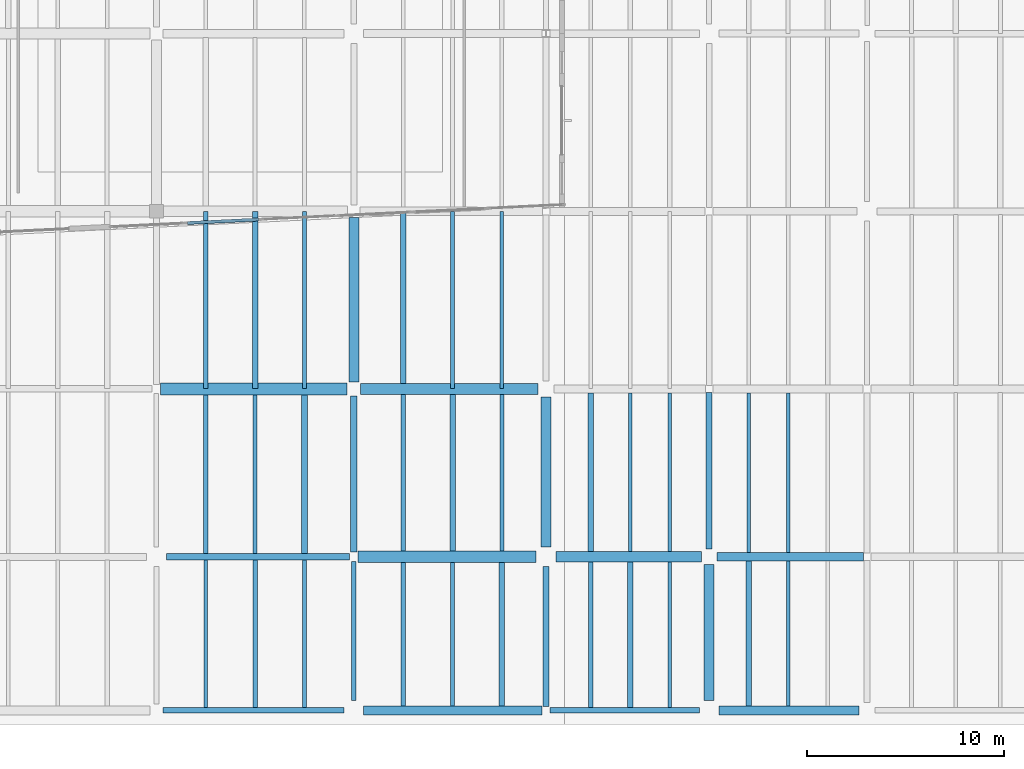
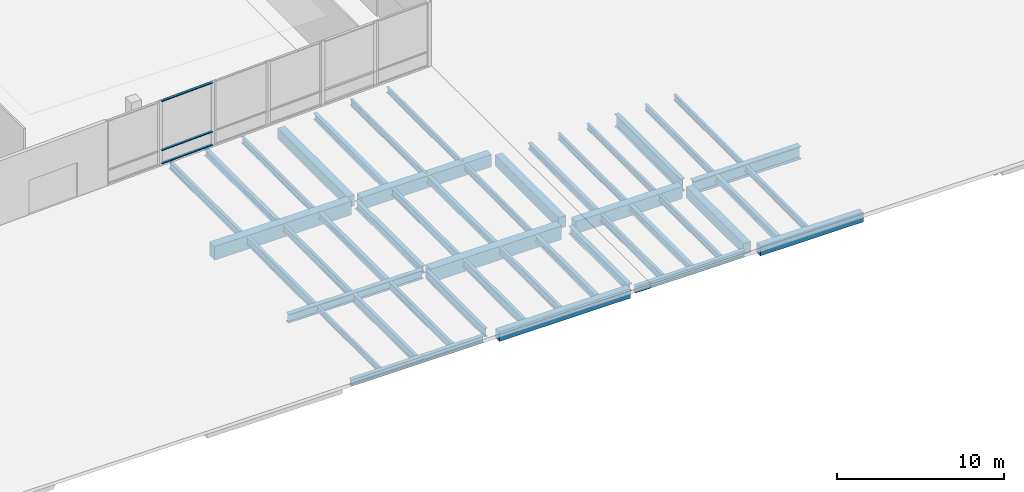
# One storey, part 29 of 88: 45 beams, 3 members, 1 element without a shape of its own.
"""IFC4 building model written with IfcOpenShell, lengths in metres."""

from ifc_helpers import new_model, si_unit, direction, frame, origin, origin_2d, place, context, subcontext, project, spatial, rectangle, i_section, extrude, material, material_profile, profile_set, type_object, element, aggregate, save


model = new_model("IFC4")

# Units and contexts
model_context = context("Model", 3, precision=1e-05, world=origin(), true_north=direction((0.0, 1.0)))
body_context = subcontext(model_context, "Body", "Model", "MODEL_VIEW")
ifc_project = project(units=[si_unit("LENGTHUNIT", "METRE"), si_unit("AREAUNIT", "SQUARE_METRE"), si_unit("VOLUMEUNIT", "CUBIC_METRE"), si_unit("PLANEANGLEUNIT", "RADIAN"), si_unit("MASSUNIT", "GRAM", prefix="KILO")], contexts=[model_context])

# Site, building, storey
site_placement = place(None, origin())
site = spatial("IfcSite", under=ifc_project, at=site_placement, CompositionType="ELEMENT")
building_placement = place(site_placement, origin())
building = spatial("IfcBuilding", under=site, at=building_placement, Name="Trimount Lyric Opera House", CompositionType="ELEMENT")
storey_placement = place(building_placement, origin())
storey = spatial("IfcBuildingStorey", under=building, at=storey_placement, Name="L00", CompositionType="ELEMENT", Elevation=0.0)

# Beams
ifc_material_1 = material(Name="Steel ASTM A992 Grade 50", Category="steel")
ifc_material_profile_1 = material_profile(ifc_material_1, i_section(OverallWidth=0.4189453125, OverallDepth=0.927001953125, WebThickness=0.019287109375, FlangeThickness=0.031982421875, FilletRadius=0.02392578125, at=origin_2d()), Name="W36X231")
ifc_profile_set_1 = profile_set([ifc_material_profile_1], Name="Steel ASTM A992 Grade 50")
beam_type_1 = type_object("IfcBeamType", Name="B-02", PredefinedType="BEAM", material=ifc_profile_set_1)
beam_1_placement = place(storey_placement, frame((122.39990234375, 8.5, -0.763427734375), z_axis=(1.0, 0.0, 0.0), x_axis=(0.0, 1.0, 0.0)))
element("IfcBeam", 1, at=beam_1_placement, inside=storey, type_object=beam_type_1, Name="L00 girder X-0033", PredefinedType="BEAM", context=body_context, shape_type="SweptSolid", body=[
    extrude(i_section(OverallWidth=0.4189453125, OverallDepth=0.927001953125, WebThickness=0.019287109375, FlangeThickness=0.031982421875, FilletRadius=0.02392578125, at=origin_2d()), origin(), (0.0, 0.0, 1.0), 7.41357421875),
])
ifc_material_2 = material(Name="Steel ASTM A992 Grade 50", Category="steel")
ifc_material_profile_2 = material_profile(ifc_material_2, i_section(OverallWidth=0.304931640625, OverallDepth=0.9189453125, WebThickness=0.017333984375, FlangeThickness=0.02783203125, FilletRadius=0.02001953125, at=origin_2d()), Name="W36X170")
ifc_profile_set_2 = profile_set([ifc_material_profile_2], Name="Steel ASTM A992 Grade 50")
beam_type_2 = type_object("IfcBeamType", Name="B-03", PredefinedType="BEAM", material=ifc_profile_set_2)
beam_2_placement = place(storey_placement, frame((122.0, 8.89990234375, -0.759521484375), z_axis=(0.0, 1.0, 0.0), x_axis=(-1.0, 0.0, 0.0)))
element("IfcBeam", 2, at=beam_2_placement, inside=storey, type_object=beam_type_2, Name="L00 girder Y-0382", PredefinedType="BEAM", context=body_context, shape_type="SweptSolid", body=[
    extrude(i_section(OverallWidth=0.304931640625, OverallDepth=0.9189453125, WebThickness=0.017333984375, FlangeThickness=0.02783203125, FilletRadius=0.02001953125, at=origin_2d()), origin(), (0.0, 0.0, 1.0), 7.916015625),
])
ifc_material_3 = material(Name="Steel ASTM A992 Grade 50", Category="steel")
ifc_material_profile_3 = material_profile(ifc_material_3, i_section(OverallWidth=0.327880859375, OverallDepth=0.626953125, WebThickness=0.0166015625, FlangeThickness=0.027587890625, FilletRadius=0.01611328125, at=origin_2d()), Name="W24X146")
ifc_profile_set_3 = profile_set([ifc_material_profile_3], Name="Steel ASTM A992 Grade 50")
beam_type_3 = type_object("IfcBeamType", Name="B-10", PredefinedType="BEAM", material=ifc_profile_set_3)
beam_3_placement = place(storey_placement, frame((94.5, 8.5, -0.553466796875), z_axis=(1.0, 0.0, 0.0), x_axis=(0.0, 1.0, 0.0)))
element("IfcBeam", 3, at=beam_3_placement, inside=storey, type_object=beam_type_3, Name="L00 girder X-0030", PredefinedType="BEAM", context=body_context, shape_type="SweptSolid", body=[
    extrude(i_section(OverallWidth=0.327880859375, OverallDepth=0.626953125, WebThickness=0.0166015625, FlangeThickness=0.027587890625, FilletRadius=0.01611328125, at=origin_2d()), origin(), (0.0, 0.0, 1.0), 9.2890625),
])
ifc_material_4 = material(Name="Steel ASTM A992 Grade 50", Category="steel")
ifc_material_profile_4 = material_profile(ifc_material_4, i_section(OverallWidth=0.22998046875, OverallDepth=0.616943359375, WebThickness=0.01318359375, FlangeThickness=0.022216796875, FilletRadius=0.013916015625, at=origin_2d()), Name="W24X94")
ifc_profile_set_4 = profile_set([ifc_material_profile_4], Name="Steel ASTM A992 Grade 50")
beam_type_4 = type_object("IfcBeamType", Name="B-11", PredefinedType="BEAM", material=ifc_profile_set_4)
beam_4_placement = place(storey_placement, frame((104.0, 1.219970703125, -0.548583984375), z_axis=(0.0, 1.0, 0.0), x_axis=(-1.0, 0.0, 0.0)))
element("IfcBeam", 4, at=beam_4_placement, inside=storey, type_object=beam_type_4, Name="L00 girder Y-0357", PredefinedType="BEAM", context=body_context, shape_type="SweptSolid", body=[
    extrude(i_section(OverallWidth=0.22998046875, OverallDepth=0.616943359375, WebThickness=0.01318359375, FlangeThickness=0.022216796875, FilletRadius=0.013916015625, at=origin_2d()), origin(), (0.0, 0.0, 1.0), 7.047607421875),
])
ifc_material_5 = material(Name="Steel ASTM A992 Grade 50", Category="steel")
ifc_material_profile_5 = material_profile(ifc_material_5, i_section(OverallWidth=0.31201171875, OverallDepth=0.5458984375, WebThickness=0.013916015625, FlangeThickness=0.022216796875, FilletRadius=0.014892578125, at=origin_2d()), Name="W21X111")
ifc_profile_set_5 = profile_set([ifc_material_profile_5], Name="Steel ASTM A992 Grade 50")
beam_type_5 = type_object("IfcBeamType", Name="B-12", PredefinedType="BEAM", material=ifc_profile_set_5)
beam_5_placement = place(storey_placement, frame((104.0, 8.732421875, -0.512939453125), z_axis=(0.0, 1.0, 0.0), x_axis=(-1.0, 0.0, 0.0)))
element("IfcBeam", 5, at=beam_5_placement, inside=storey, type_object=beam_type_5, Name="L00 girder Y-0358", PredefinedType="BEAM", context=body_context, shape_type="SweptSolid", body=[
    extrude(i_section(OverallWidth=0.31201171875, OverallDepth=0.5458984375, WebThickness=0.013916015625, FlangeThickness=0.022216796875, FilletRadius=0.014892578125, at=origin_2d()), origin(), (0.0, 0.0, 1.0), 7.91748046875),
])
beam_6_placement = place(storey_placement, frame((113.739990234375, 0.9130859375, -0.512939453125), z_axis=(0.0, 1.0, 0.0), x_axis=(-1.0, 0.0, 0.0)))
element("IfcBeam", 6, at=beam_6_placement, inside=storey, type_object=beam_type_5, Name="L00 girder Y-0369", PredefinedType="BEAM", context=body_context, shape_type="SweptSolid", body=[
    extrude(i_section(OverallWidth=0.31201171875, OverallDepth=0.5458984375, WebThickness=0.013916015625, FlangeThickness=0.022216796875, FilletRadius=0.014892578125, at=origin_2d()), origin(), (0.0, 0.0, 1.0), 7.0869140625),
])
ifc_material_6 = material(Name="Concrete C40/50", Category="concrete")
ifc_material_profile_6 = material_profile(ifc_material_6, rectangle(XDim=0.60009765625, YDim=1.0, at=origin_2d()), Name="RC600X1000")
ifc_profile_set_6 = profile_set([ifc_material_profile_6], Name="Concrete C40/50")
beam_type_6 = type_object("IfcBeamType", Name="B-13", PredefinedType="BEAM", material=ifc_profile_set_6)
beam_7_placement = place(storey_placement, frame((104.2109375, 8.5, -0.739990234375), z_axis=(1.0, 0.0, 0.0), x_axis=(0.0, 1.0, 0.0)))
element("IfcBeam", 7, at=beam_7_placement, inside=storey, type_object=beam_type_6, Name="L00 girder X-0031", PredefinedType="BEAM", context=body_context, shape_type="SweptSolid", body=[
    extrude(rectangle(XDim=0.60009765625, YDim=1.0, at=origin_2d()), origin(), (0.0, 0.0, 1.0), 9.029052734375),
])
beam_8_placement = place(storey_placement, frame((94.2109375, 17.0, -0.739990234375), z_axis=(1.0, 0.0, 0.0), x_axis=(0.0, 1.0, 0.0)))
element("IfcBeam", 8, at=beam_8_placement, inside=storey, type_object=beam_type_6, Name="L00 girder X-0045", PredefinedType="BEAM", context=body_context, shape_type="SweptSolid", body=[
    extrude(rectangle(XDim=0.60009765625, YDim=1.0, at=origin_2d()), origin(), (0.0, 0.0, 1.0), 9.43896484375),
])
ifc_material_7 = material(Name="Concrete C40/50", Category="concrete")
ifc_material_profile_7 = material_profile(ifc_material_7, rectangle(XDim=0.550048828125, YDim=0.89990234375, at=origin_2d()), Name="RC550X900")
ifc_profile_set_7 = profile_set([ifc_material_profile_7], Name="Concrete C40/50")
beam_type_7 = type_object("IfcBeamType", Name="B-14", PredefinedType="BEAM", material=ifc_profile_set_7)
beam_9_placement = place(storey_placement, frame((114.239990234375, 8.5, -0.75), z_axis=(1.0, 0.0, 0.0), x_axis=(0.0, 1.0, 0.0)))
element("IfcBeam", 9, at=beam_9_placement, inside=storey, type_object=beam_type_7, Name="L00 girder X-0032", PredefinedType="BEAM", context=body_context, shape_type="SweptSolid", body=[
    extrude(rectangle(XDim=0.550048828125, YDim=0.89990234375, at=origin_2d()), origin(), (0.0, 0.0, 1.0), 7.360107421875),
])
beam_10_placement = place(storey_placement, frame((104.35009765625, 17.0, -0.68994140625), z_axis=(1.0, 0.0, 0.0), x_axis=(0.0, 1.0, 0.0)))
element("IfcBeam", 10, at=beam_10_placement, inside=storey, type_object=beam_type_7, Name="L00 girder X-0046", PredefinedType="BEAM", context=body_context, shape_type="SweptSolid", body=[
    extrude(rectangle(XDim=0.550048828125, YDim=0.89990234375, at=origin_2d()), origin(), (0.0, 0.0, 1.0), 8.989990234375),
])
ifc_material_8 = material(Name="Concrete C40/50", Category="concrete")
ifc_material_profile_8 = material_profile(ifc_material_8, rectangle(XDim=0.5, YDim=0.800048828125, at=origin_2d()), Name="RC500X800")
ifc_profile_set_8 = profile_set([ifc_material_profile_8], Name="Concrete C40/50")
beam_type_8 = type_object("IfcBeamType", Name="B-15", PredefinedType="BEAM", material=ifc_profile_set_8)
beam_11_placement = place(storey_placement, frame((104.0, 17.35009765625, -0.780029296875), z_axis=(0.0, 1.0, 0.0), x_axis=(-1.0, 0.0, 0.0)))
element("IfcBeam", 11, at=beam_11_placement, inside=storey, type_object=beam_type_8, Name="L00 girder Y-0359", PredefinedType="BEAM", context=body_context, shape_type="SweptSolid", body=[
    extrude(rectangle(XDim=0.5, YDim=0.800048828125, at=origin_2d()), origin(), (0.0, 0.0, 1.0), 8.324951171875),
])
beam_12_placement = place(storey_placement, frame((113.739990234375, 9.0, -0.639892578125), z_axis=(0.0, 1.0, 0.0), x_axis=(-1.0, 0.0, 0.0)))
element("IfcBeam", 12, at=beam_12_placement, inside=storey, type_object=beam_type_8, Name="L00 girder Y-0370", PredefinedType="BEAM", context=body_context, shape_type="SweptSolid", body=[
    extrude(rectangle(XDim=0.5, YDim=0.800048828125, at=origin_2d()), origin(), (0.0, 0.0, 1.0), 7.60009765625),
])
beam_13_placement = place(storey_placement, frame((122.0, 1.219970703125, -0.699951171875), z_axis=(0.0, 1.0, 0.0), x_axis=(-1.0, 0.0, 0.0)))
element("IfcBeam", 13, at=beam_13_placement, inside=storey, type_object=beam_type_8, Name="L00 girder Y-0381", PredefinedType="BEAM", context=body_context, shape_type="SweptSolid", body=[
    extrude(rectangle(XDim=0.5, YDim=0.800048828125, at=origin_2d()), origin(), (0.0, 0.0, 1.0), 6.880126953125),
])
ifc_material_9 = material(Name="Steel ASTM A992 Grade 50", Category="steel")
ifc_material_profile_9 = material_profile(ifc_material_9, i_section(OverallWidth=0.22802734375, OverallDepth=0.60205078125, WebThickness=0.010498046875, FlangeThickness=0.014892578125, FilletRadius=0.012939453125, at=origin_2d()), Name="W24X68")
ifc_profile_set_9 = profile_set([ifc_material_profile_9], Name="Steel ASTM A992 Grade 50")
beam_type_9 = type_object("IfcBeamType", Name="J-01", PredefinedType="BEAM", material=ifc_profile_set_9)
beam_14_placement = place(storey_placement, frame((99.0, 0.85693359375, -0.541015625), z_axis=(0.0, 1.0, 0.0), x_axis=(-1.0, 0.0, 0.0)))
element("IfcBeam", 14, at=beam_14_placement, inside=storey, type_object=beam_type_9, Name="L00 composite floor joist 0279", PredefinedType="BEAM", context=body_context, shape_type="SweptSolid", body=[
    extrude(i_section(OverallWidth=0.22802734375, OverallDepth=0.60205078125, WebThickness=0.010498046875, FlangeThickness=0.014892578125, FilletRadius=0.012939453125, at=origin_2d()), origin(), (0.0, 0.0, 1.0), 7.483154296875),
])
beam_15_placement = place(storey_placement, frame((96.5, 8.659912109375, -0.541015625), z_axis=(0.0, 1.0, 0.0), x_axis=(-1.0, 0.0, 0.0)))
element("IfcBeam", 15, at=beam_15_placement, inside=storey, type_object=beam_type_9, Name="L00 composite floor joist 0281", PredefinedType="BEAM", context=body_context, shape_type="SweptSolid", body=[
    extrude(i_section(OverallWidth=0.22802734375, OverallDepth=0.60205078125, WebThickness=0.010498046875, FlangeThickness=0.014892578125, FilletRadius=0.012939453125, at=origin_2d()), origin(), (0.0, 0.0, 1.0), 8.044189453125),
])
beam_16_placement = place(storey_placement, frame((106.5, 0.94091796875, -0.541015625), z_axis=(0.0, 1.0, 0.0), x_axis=(-1.0, 0.0, 0.0)))
element("IfcBeam", 16, at=beam_16_placement, inside=storey, type_object=beam_type_9, Name="L00 composite floor joist 0306", PredefinedType="BEAM", context=body_context, shape_type="SweptSolid", body=[
    extrude(i_section(OverallWidth=0.22802734375, OverallDepth=0.60205078125, WebThickness=0.010498046875, FlangeThickness=0.014892578125, FilletRadius=0.012939453125, at=origin_2d()), origin(), (0.0, 0.0, 1.0), 7.26318359375),
])
ifc_material_10 = material(Name="Steel ASTM A992 Grade 50", Category="steel")
ifc_material_profile_10 = material_profile(ifc_material_10, i_section(OverallWidth=0.2099609375, OverallDepth=0.532958984375, WebThickness=0.01025390625, FlangeThickness=0.015625, FilletRadius=0.012939453125, at=origin_2d()), Name="W21X62")
ifc_profile_set_10 = profile_set([ifc_material_profile_10], Name="Steel ASTM A992 Grade 50")
beam_type_10 = type_object("IfcBeamType", Name="J-02", PredefinedType="BEAM", material=ifc_profile_set_10)
beam_17_placement = place(storey_placement, frame((101.5, 0.85693359375, -0.506591796875), z_axis=(0.0, 1.0, 0.0), x_axis=(-1.0, 0.0, 0.0)))
element("IfcBeam", 17, at=beam_17_placement, inside=storey, type_object=beam_type_10, Name="L00 composite floor joist 0280", PredefinedType="BEAM", context=body_context, shape_type="SweptSolid", body=[
    extrude(i_section(OverallWidth=0.2099609375, OverallDepth=0.532958984375, WebThickness=0.01025390625, FlangeThickness=0.015625, FilletRadius=0.012939453125, at=origin_2d()), origin(), (0.0, 0.0, 1.0), 7.483154296875),
])
beam_18_placement = place(storey_placement, frame((99.0, 8.659912109375, -0.506591796875), z_axis=(0.0, 1.0, 0.0), x_axis=(-1.0, 0.0, 0.0)))
element("IfcBeam", 18, at=beam_18_placement, inside=storey, type_object=beam_type_10, Name="L00 composite floor joist 0282", PredefinedType="BEAM", context=body_context, shape_type="SweptSolid", body=[
    extrude(i_section(OverallWidth=0.2099609375, OverallDepth=0.532958984375, WebThickness=0.01025390625, FlangeThickness=0.015625, FilletRadius=0.012939453125, at=origin_2d()), origin(), (0.0, 0.0, 1.0), 8.044189453125),
])
beam_19_placement = place(storey_placement, frame((96.5, 17.011962890625, -0.646484375), z_axis=(0.0, 1.0, 0.0), x_axis=(-1.0, 0.0, 0.0)))
element("IfcBeam", 19, at=beam_19_placement, inside=storey, type_object=beam_type_10, Name="L00 composite floor joist 0284", PredefinedType="BEAM", context=body_context, shape_type="SweptSolid", body=[
    extrude(i_section(OverallWidth=0.2099609375, OverallDepth=0.532958984375, WebThickness=0.01025390625, FlangeThickness=0.015625, FilletRadius=0.012939453125, at=origin_2d()), origin(), (0.0, 0.0, 1.0), 8.97607421875),
])
beam_20_placement = place(storey_placement, frame((109.0, 0.94091796875, -0.506591796875), z_axis=(0.0, 1.0, 0.0), x_axis=(-1.0, 0.0, 0.0)))
element("IfcBeam", 20, at=beam_20_placement, inside=storey, type_object=beam_type_10, Name="L00 composite floor joist 0307", PredefinedType="BEAM", context=body_context, shape_type="SweptSolid", body=[
    extrude(i_section(OverallWidth=0.2099609375, OverallDepth=0.532958984375, WebThickness=0.01025390625, FlangeThickness=0.015625, FilletRadius=0.012939453125, at=origin_2d()), origin(), (0.0, 0.0, 1.0), 7.26318359375),
])
beam_21_placement = place(storey_placement, frame((106.5, 8.7958984375, -0.506591796875), z_axis=(0.0, 1.0, 0.0), x_axis=(-1.0, 0.0, 0.0)))
element("IfcBeam", 21, at=beam_21_placement, inside=storey, type_object=beam_type_10, Name="L00 composite floor joist 0309", PredefinedType="BEAM", context=body_context, shape_type="SweptSolid", body=[
    extrude(i_section(OverallWidth=0.2099609375, OverallDepth=0.532958984375, WebThickness=0.01025390625, FlangeThickness=0.015625, FilletRadius=0.012939453125, at=origin_2d()), origin(), (0.0, 0.0, 1.0), 7.93310546875),
])
beam_22_placement = place(storey_placement, frame((116.0, 0.85693359375, -0.56640625), z_axis=(0.0, 1.0, 0.0), x_axis=(-1.0, 0.0, 0.0)))
element("IfcBeam", 22, at=beam_22_placement, inside=storey, type_object=beam_type_10, Name="L00 composite floor joist 0336", PredefinedType="BEAM", context=body_context, shape_type="SweptSolid", body=[
    extrude(i_section(OverallWidth=0.2099609375, OverallDepth=0.532958984375, WebThickness=0.01025390625, FlangeThickness=0.015625, FilletRadius=0.012939453125, at=origin_2d()), origin(), (0.0, 0.0, 1.0), 7.3720703125),
])
ifc_material_11 = material(Name="Steel ASTM A992 Grade 50", Category="steel")
ifc_material_profile_11 = material_profile(ifc_material_11, i_section(OverallWidth=0.281982421875, OverallDepth=0.467041015625, WebThickness=0.01220703125, FlangeThickness=0.01953125, FilletRadius=0.012939453125, at=origin_2d()), Name="W18X86")
ifc_profile_set_11 = profile_set([ifc_material_profile_11], Name="Steel ASTM A992 Grade 50")
beam_type_11 = type_object("IfcBeamType", Name="J-03", PredefinedType="BEAM", material=ifc_profile_set_11)
beam_23_placement = place(storey_placement, frame((101.5, 8.659912109375, -0.473388671875), z_axis=(0.0, 1.0, 0.0), x_axis=(-1.0, 0.0, 0.0)))
element("IfcBeam", 23, at=beam_23_placement, inside=storey, type_object=beam_type_11, Name="L00 composite floor joist 0283", PredefinedType="BEAM", context=body_context, shape_type="SweptSolid", body=[
    extrude(i_section(OverallWidth=0.281982421875, OverallDepth=0.467041015625, WebThickness=0.01220703125, FlangeThickness=0.01953125, FilletRadius=0.012939453125, at=origin_2d()), origin(), (0.0, 0.0, 1.0), 8.044189453125),
])
beam_24_placement = place(storey_placement, frame((99.0, 17.011962890625, -0.613525390625), z_axis=(0.0, 1.0, 0.0), x_axis=(-1.0, 0.0, 0.0)))
element("IfcBeam", 24, at=beam_24_placement, inside=storey, type_object=beam_type_11, Name="L00 composite floor joist 0285", PredefinedType="BEAM", context=body_context, shape_type="SweptSolid", body=[
    extrude(i_section(OverallWidth=0.281982421875, OverallDepth=0.467041015625, WebThickness=0.01220703125, FlangeThickness=0.01953125, FilletRadius=0.012939453125, at=origin_2d()), origin(), (0.0, 0.0, 1.0), 8.97607421875),
])
beam_25_placement = place(storey_placement, frame((111.5, 0.94091796875, -0.473388671875), z_axis=(0.0, 1.0, 0.0), x_axis=(-1.0, 0.0, 0.0)))
element("IfcBeam", 25, at=beam_25_placement, inside=storey, type_object=beam_type_11, Name="L00 composite floor joist 0308", PredefinedType="BEAM", context=body_context, shape_type="SweptSolid", body=[
    extrude(i_section(OverallWidth=0.281982421875, OverallDepth=0.467041015625, WebThickness=0.01220703125, FlangeThickness=0.01953125, FilletRadius=0.012939453125, at=origin_2d()), origin(), (0.0, 0.0, 1.0), 7.26318359375),
])
beam_26_placement = place(storey_placement, frame((109.0, 8.7958984375, -0.473388671875), z_axis=(0.0, 1.0, 0.0), x_axis=(-1.0, 0.0, 0.0)))
element("IfcBeam", 26, at=beam_26_placement, inside=storey, type_object=beam_type_11, Name="L00 composite floor joist 0310", PredefinedType="BEAM", context=body_context, shape_type="SweptSolid", body=[
    extrude(i_section(OverallWidth=0.281982421875, OverallDepth=0.467041015625, WebThickness=0.01220703125, FlangeThickness=0.01953125, FilletRadius=0.012939453125, at=origin_2d()), origin(), (0.0, 0.0, 1.0), 7.93310546875),
])
beam_27_placement = place(storey_placement, frame((106.5, 17.011962890625, -0.613525390625), z_axis=(0.0, 1.0, 0.0), x_axis=(-1.0, 0.0, 0.0)))
element("IfcBeam", 27, at=beam_27_placement, inside=storey, type_object=beam_type_11, Name="L00 composite floor joist 0312", PredefinedType="BEAM", context=body_context, shape_type="SweptSolid", body=[
    extrude(i_section(OverallWidth=0.281982421875, OverallDepth=0.467041015625, WebThickness=0.01220703125, FlangeThickness=0.01953125, FilletRadius=0.012939453125, at=origin_2d()), origin(), (0.0, 0.0, 1.0), 8.97607421875),
])
beam_28_placement = place(storey_placement, frame((118.0, 0.85693359375, -0.533447265625), z_axis=(0.0, 1.0, 0.0), x_axis=(-1.0, 0.0, 0.0)))
element("IfcBeam", 28, at=beam_28_placement, inside=storey, type_object=beam_type_11, Name="L00 composite floor joist 0337", PredefinedType="BEAM", context=body_context, shape_type="SweptSolid", body=[
    extrude(i_section(OverallWidth=0.281982421875, OverallDepth=0.467041015625, WebThickness=0.01220703125, FlangeThickness=0.01953125, FilletRadius=0.012939453125, at=origin_2d()), origin(), (0.0, 0.0, 1.0), 7.3720703125),
])
beam_29_placement = place(storey_placement, frame((116.0, 8.77099609375, -0.533447265625), z_axis=(0.0, 1.0, 0.0), x_axis=(-1.0, 0.0, 0.0)))
element("IfcBeam", 29, at=beam_29_placement, inside=storey, type_object=beam_type_11, Name="L00 composite floor joist 0339", PredefinedType="BEAM", context=body_context, shape_type="SweptSolid", body=[
    extrude(i_section(OverallWidth=0.281982421875, OverallDepth=0.467041015625, WebThickness=0.01220703125, FlangeThickness=0.01953125, FilletRadius=0.012939453125, at=origin_2d()), origin(), (0.0, 0.0, 1.0), 8.0234375),
])
beam_30_placement = place(storey_placement, frame((124.0, 0.94091796875, -0.533447265625), z_axis=(0.0, 1.0, 0.0), x_axis=(-1.0, 0.0, 0.0)))
element("IfcBeam", 30, at=beam_30_placement, inside=storey, type_object=beam_type_11, Name="L00 composite floor joist 0369", PredefinedType="BEAM", context=body_context, shape_type="SweptSolid", body=[
    extrude(i_section(OverallWidth=0.281982421875, OverallDepth=0.467041015625, WebThickness=0.01220703125, FlangeThickness=0.01953125, FilletRadius=0.012939453125, at=origin_2d()), origin(), (0.0, 0.0, 1.0), 7.353515625),
])
ifc_material_12 = material(Name="Steel ASTM A992 Grade 50", Category="steel")
ifc_material_profile_12 = material_profile(ifc_material_12, i_section(OverallWidth=0.19091796875, OverallDepth=0.45703125, WebThickness=0.009033203125, FlangeThickness=0.014404296875, FilletRadius=0.010986328125, at=origin_2d()), Name="W18X50")
ifc_profile_set_12 = profile_set([ifc_material_profile_12], Name="Steel ASTM A992 Grade 50")
beam_type_12 = type_object("IfcBeamType", Name="J-04", PredefinedType="BEAM", material=ifc_profile_set_12)
beam_31_placement = place(storey_placement, frame((101.5, 17.011962890625, -0.6083984375), z_axis=(0.0, 1.0, 0.0), x_axis=(-1.0, 0.0, 0.0)))
element("IfcBeam", 31, at=beam_31_placement, inside=storey, type_object=beam_type_12, Name="L00 composite floor joist 0286", PredefinedType="BEAM", context=body_context, shape_type="SweptSolid", body=[
    extrude(i_section(OverallWidth=0.19091796875, OverallDepth=0.45703125, WebThickness=0.009033203125, FlangeThickness=0.014404296875, FilletRadius=0.010986328125, at=origin_2d()), origin(), (0.0, 0.0, 1.0), 8.97607421875),
])
beam_32_placement = place(storey_placement, frame((111.5, 8.7958984375, -0.468505859375), z_axis=(0.0, 1.0, 0.0), x_axis=(-1.0, 0.0, 0.0)))
element("IfcBeam", 32, at=beam_32_placement, inside=storey, type_object=beam_type_12, Name="L00 composite floor joist 0311", PredefinedType="BEAM", context=body_context, shape_type="SweptSolid", body=[
    extrude(i_section(OverallWidth=0.19091796875, OverallDepth=0.45703125, WebThickness=0.009033203125, FlangeThickness=0.014404296875, FilletRadius=0.010986328125, at=origin_2d()), origin(), (0.0, 0.0, 1.0), 7.93310546875),
])
beam_33_placement = place(storey_placement, frame((109.0, 17.011962890625, -0.468505859375), z_axis=(0.0, 1.0, 0.0), x_axis=(-1.0, 0.0, 0.0)))
element("IfcBeam", 33, at=beam_33_placement, inside=storey, type_object=beam_type_12, Name="L00 composite floor joist 0313", PredefinedType="BEAM", context=body_context, shape_type="SweptSolid", body=[
    extrude(i_section(OverallWidth=0.19091796875, OverallDepth=0.45703125, WebThickness=0.009033203125, FlangeThickness=0.014404296875, FilletRadius=0.010986328125, at=origin_2d()), origin(), (0.0, 0.0, 1.0), 8.97607421875),
])
beam_34_placement = place(storey_placement, frame((120.0, 0.85693359375, -0.528564453125), z_axis=(0.0, 1.0, 0.0), x_axis=(-1.0, 0.0, 0.0)))
element("IfcBeam", 34, at=beam_34_placement, inside=storey, type_object=beam_type_12, Name="L00 composite floor joist 0338", PredefinedType="BEAM", context=body_context, shape_type="SweptSolid", body=[
    extrude(i_section(OverallWidth=0.19091796875, OverallDepth=0.45703125, WebThickness=0.009033203125, FlangeThickness=0.014404296875, FilletRadius=0.010986328125, at=origin_2d()), origin(), (0.0, 0.0, 1.0), 7.3720703125),
])
beam_35_placement = place(storey_placement, frame((118.0, 8.77099609375, -0.528564453125), z_axis=(0.0, 1.0, 0.0), x_axis=(-1.0, 0.0, 0.0)))
element("IfcBeam", 35, at=beam_35_placement, inside=storey, type_object=beam_type_12, Name="L00 composite floor joist 0340", PredefinedType="BEAM", context=body_context, shape_type="SweptSolid", body=[
    extrude(i_section(OverallWidth=0.19091796875, OverallDepth=0.45703125, WebThickness=0.009033203125, FlangeThickness=0.014404296875, FilletRadius=0.010986328125, at=origin_2d()), origin(), (0.0, 0.0, 1.0), 8.0234375),
])
beam_36_placement = place(storey_placement, frame((126.0, 0.94091796875, -0.528564453125), z_axis=(0.0, 1.0, 0.0), x_axis=(-1.0, 0.0, 0.0)))
element("IfcBeam", 36, at=beam_36_placement, inside=storey, type_object=beam_type_12, Name="L00 composite floor joist 0370", PredefinedType="BEAM", context=body_context, shape_type="SweptSolid", body=[
    extrude(i_section(OverallWidth=0.19091796875, OverallDepth=0.45703125, WebThickness=0.009033203125, FlangeThickness=0.014404296875, FilletRadius=0.010986328125, at=origin_2d()), origin(), (0.0, 0.0, 1.0), 7.353515625),
])
beam_37_placement = place(storey_placement, frame((124.0, 8.70556640625, -0.528564453125), z_axis=(0.0, 1.0, 0.0), x_axis=(-1.0, 0.0, 0.0)))
element("IfcBeam", 37, at=beam_37_placement, inside=storey, type_object=beam_type_12, Name="L00 composite floor joist 0372", PredefinedType="BEAM", context=body_context, shape_type="SweptSolid", body=[
    extrude(i_section(OverallWidth=0.19091796875, OverallDepth=0.45703125, WebThickness=0.009033203125, FlangeThickness=0.014404296875, FilletRadius=0.010986328125, at=origin_2d()), origin(), (0.0, 0.0, 1.0), 8.097900390625),
])
ifc_material_13 = material(Name="Steel ASTM A992 Grade 50", Category="steel")
ifc_material_profile_13 = material_profile(ifc_material_13, i_section(OverallWidth=0.180908203125, OverallDepth=0.4169921875, WebThickness=0.010986328125, FlangeThickness=0.018310546875, FilletRadius=0.010986328125, at=origin_2d()), Name="W16X57")
ifc_profile_set_13 = profile_set([ifc_material_profile_13], Name="Steel ASTM A992 Grade 50")
beam_type_13 = type_object("IfcBeamType", Name="J-05", PredefinedType="BEAM", material=ifc_profile_set_13)
beam_38_placement = place(storey_placement, frame((111.5, 17.011962890625, -0.448486328125), z_axis=(0.0, 1.0, 0.0), x_axis=(-1.0, 0.0, 0.0)))
element("IfcBeam", 38, at=beam_38_placement, inside=storey, type_object=beam_type_13, Name="L00 composite floor joist 0314", PredefinedType="BEAM", context=body_context, shape_type="SweptSolid", body=[
    extrude(i_section(OverallWidth=0.180908203125, OverallDepth=0.4169921875, WebThickness=0.010986328125, FlangeThickness=0.018310546875, FilletRadius=0.010986328125, at=origin_2d()), origin(), (0.0, 0.0, 1.0), 8.97607421875),
])
beam_39_placement = place(storey_placement, frame((120.0, 8.77099609375, -0.508544921875), z_axis=(0.0, 1.0, 0.0), x_axis=(-1.0, 0.0, 0.0)))
element("IfcBeam", 39, at=beam_39_placement, inside=storey, type_object=beam_type_13, Name="L00 composite floor joist 0341", PredefinedType="BEAM", context=body_context, shape_type="SweptSolid", body=[
    extrude(i_section(OverallWidth=0.180908203125, OverallDepth=0.4169921875, WebThickness=0.010986328125, FlangeThickness=0.018310546875, FilletRadius=0.010986328125, at=origin_2d()), origin(), (0.0, 0.0, 1.0), 8.0234375),
])
beam_40_placement = place(storey_placement, frame((126.0, 8.70556640625, -0.508544921875), z_axis=(0.0, 1.0, 0.0), x_axis=(-1.0, 0.0, 0.0)))
element("IfcBeam", 40, at=beam_40_placement, inside=storey, type_object=beam_type_13, Name="L00 composite floor joist 0373", PredefinedType="BEAM", context=body_context, shape_type="SweptSolid", body=[
    extrude(i_section(OverallWidth=0.180908203125, OverallDepth=0.4169921875, WebThickness=0.010986328125, FlangeThickness=0.018310546875, FilletRadius=0.010986328125, at=origin_2d()), origin(), (0.0, 0.0, 1.0), 8.097900390625),
])
ifc_material_14 = material(Name="Steel ASTM A992 Grade 50", Category="steel")
ifc_material_profile_14 = material_profile(ifc_material_14, i_section(OverallWidth=0.177978515625, OverallDepth=0.404052734375, WebThickness=0.007568359375, FlangeThickness=0.010986328125, FilletRadius=0.010009765625, at=origin_2d()), Name="W16X36")
ifc_profile_set_14 = profile_set([ifc_material_profile_14], Name="Steel ASTM A992 Grade 50")
beam_type_14 = type_object("IfcBeamType", Name="J-06", PredefinedType="BEAM", material=ifc_profile_set_14)
beam_41_placement = place(storey_placement, frame((96.5, 0.85693359375, -0.44189453125), z_axis=(0.0, 1.0, 0.0), x_axis=(-1.0, 0.0, 0.0)))
element("IfcBeam", 41, at=beam_41_placement, inside=storey, type_object=beam_type_14, Name="L00 composite floor joist 0278", PredefinedType="BEAM", context=body_context, shape_type="SweptSolid", body=[
    extrude(i_section(OverallWidth=0.177978515625, OverallDepth=0.404052734375, WebThickness=0.007568359375, FlangeThickness=0.010986328125, FilletRadius=0.010009765625, at=origin_2d()), origin(), (0.0, 0.0, 1.0), 7.483154296875),
])
ifc_material_15 = material(Name="Steel ASTM A992 Grade 50", Category="steel")
ifc_material_profile_15 = material_profile(ifc_material_15, i_section(OverallWidth=0.281982421875, OverallDepth=0.467041015625, WebThickness=0.01220703125, FlangeThickness=0.01953125, FilletRadius=0.012939453125, at=origin_2d()), Name="W18X86")
ifc_profile_set_15 = profile_set([ifc_material_profile_15], Name="Steel ASTM A992 Grade 50")
beam_type_15 = type_object("IfcBeamType", Name="SP-01", PredefinedType="SPANDREL", material=ifc_profile_set_15)
beam_42_placement = place(storey_placement, frame((94.324951171875, 0.719970703125, -0.473388671875), z_axis=(1.0, 0.0, 0.0), x_axis=(0.0, 1.0, 0.0)))
element("IfcBeam", 42, at=beam_42_placement, inside=storey, type_object=beam_type_15, Name="L00 girder X-0011", PredefinedType="SPANDREL", context=body_context, shape_type="SweptSolid", body=[
    extrude(i_section(OverallWidth=0.281982421875, OverallDepth=0.467041015625, WebThickness=0.01220703125, FlangeThickness=0.01953125, FilletRadius=0.012939453125, at=origin_2d()), origin(), (0.0, 0.0, 1.0), 9.175048828125),
])
beam_43_placement = place(storey_placement, frame((113.939453125, 0.719970703125, -0.533447265625), z_axis=(1.0, 0.0, 0.0), x_axis=(0.0, 1.0, 0.0)))
element("IfcBeam", 43, at=beam_43_placement, inside=storey, type_object=beam_type_15, Name="L00 girder X-0013", PredefinedType="SPANDREL", context=body_context, shape_type="SweptSolid", body=[
    extrude(i_section(OverallWidth=0.281982421875, OverallDepth=0.467041015625, WebThickness=0.01220703125, FlangeThickness=0.01953125, FilletRadius=0.012939453125, at=origin_2d()), origin(), (0.0, 0.0, 1.0), 7.560546875),
])
ifc_material_16 = material(Name="Concrete C40/50", Category="concrete")
ifc_material_profile_16 = material_profile(ifc_material_16, rectangle(XDim=0.449951171875, YDim=0.699951171875, at=origin_2d()), Name="RC450X700")
ifc_profile_set_16 = profile_set([ifc_material_profile_16], Name="Concrete C40/50")
beam_type_16 = type_object("IfcBeamType", Name="SP-02", PredefinedType="SPANDREL", material=ifc_profile_set_16)
beam_44_placement = place(storey_placement, frame((104.5, 0.719970703125, -0.590087890625), z_axis=(1.0, 0.0, 0.0), x_axis=(0.0, 1.0, 0.0)))
element("IfcBeam", 44, at=beam_44_placement, inside=storey, type_object=beam_type_16, Name="L00 girder X-0012", PredefinedType="SPANDREL", context=body_context, shape_type="SweptSolid", body=[
    extrude(rectangle(XDim=0.449951171875, YDim=0.699951171875, at=origin_2d()), origin(), (0.0, 0.0, 1.0), 9.04052734375),
])
beam_45_placement = place(storey_placement, frame((122.5, 0.719970703125, -0.64990234375), z_axis=(1.0, 0.0, 0.0), x_axis=(0.0, 1.0, 0.0)))
element("IfcBeam", 45, at=beam_45_placement, inside=storey, type_object=beam_type_16, Name="L00 girder X-0014", PredefinedType="SPANDREL", context=body_context, shape_type="SweptSolid", body=[
    extrude(rectangle(XDim=0.449951171875, YDim=0.699951171875, at=origin_2d()), origin(), (0.0, 0.0, 1.0), 7.10009765625),
])

# Curtain wall, members
ifc_material_17 = material(Name="Thermally Broken Aluminium and Low-E Glass", Category="aluminium")
curtain_wall_type = type_object("IfcCurtainWallType", Name="CW-01", PredefinedType="NOTDEFINED", material=ifc_material_17)
curtain_wall_placement = place(storey_placement, origin())
curtain_wall = element("IfcCurtainWall", 46, at=curtain_wall_placement, inside=storey, type_object=curtain_wall_type, Name="L00 curtain wall 018", PredefinedType="NOTDEFINED")
ifc_material_18 = material(Name="Anodised Aluminium 6063-T6", Category="aluminium")
ifc_material_profile_17 = material_profile(ifc_material_18, rectangle(XDim=0.159912109375, YDim=0.070068359375, at=origin_2d()), Name="ALU-TRAN-70X160")
ifc_profile_set_17 = profile_set([ifc_material_profile_17], Name="Anodised Aluminium 6063-T6")
member_type = type_object("IfcMemberType", Name="TR-01", PredefinedType="USERDEFINED", material=ifc_profile_set_17)
member_1_placement = place(storey_placement, frame((99.173095703125, 25.58349609375, 0.080078125), z_axis=(-0.998810182509, -0.048766990018, 0.0), x_axis=(0.048766990018, -0.998810182509, 0.0)))
member_1 = element("IfcMember", 47, at=member_1_placement, type_object=member_type, Name="CW-01 transom 1.1", ObjectType="TRANSOM", PredefinedType="USERDEFINED", context=body_context, shape_type="SweptSolid", body=[
    extrude(rectangle(XDim=0.159912109375, YDim=0.070068359375, at=origin_2d()), origin(), (0.0, 0.0, 1.0), 3.609619140625),
])
member_2_placement = place(storey_placement, frame((99.173095703125, 25.58349609375, 1.050048828125), z_axis=(-0.998810182509, -0.048766990018, 0.0), x_axis=(0.048766990018, -0.998810182509, 0.0)))
member_2 = element("IfcMember", 48, at=member_2_placement, type_object=member_type, Name="CW-01 transom 1.2", ObjectType="TRANSOM", PredefinedType="USERDEFINED", context=body_context, shape_type="SweptSolid", body=[
    extrude(rectangle(XDim=0.159912109375, YDim=0.070068359375, at=origin_2d()), origin(), (0.0, 0.0, 1.0), 3.609619140625),
])
member_3_placement = place(storey_placement, frame((99.173095703125, 25.58349609375, 4.6201171875), z_axis=(-0.998810182509, -0.048766990018, 0.0), x_axis=(0.048766990018, -0.998810182509, 0.0)))
member_3 = element("IfcMember", 49, at=member_3_placement, type_object=member_type, Name="CW-01 transom 1.3", ObjectType="TRANSOM", PredefinedType="USERDEFINED", context=body_context, shape_type="SweptSolid", body=[
    extrude(rectangle(XDim=0.159912109375, YDim=0.070068359375, at=origin_2d()), origin(), (0.0, 0.0, 1.0), 3.609619140625),
])
aggregate(curtain_wall, [member_1, member_2, member_3])

save(model, "model.ifc")
